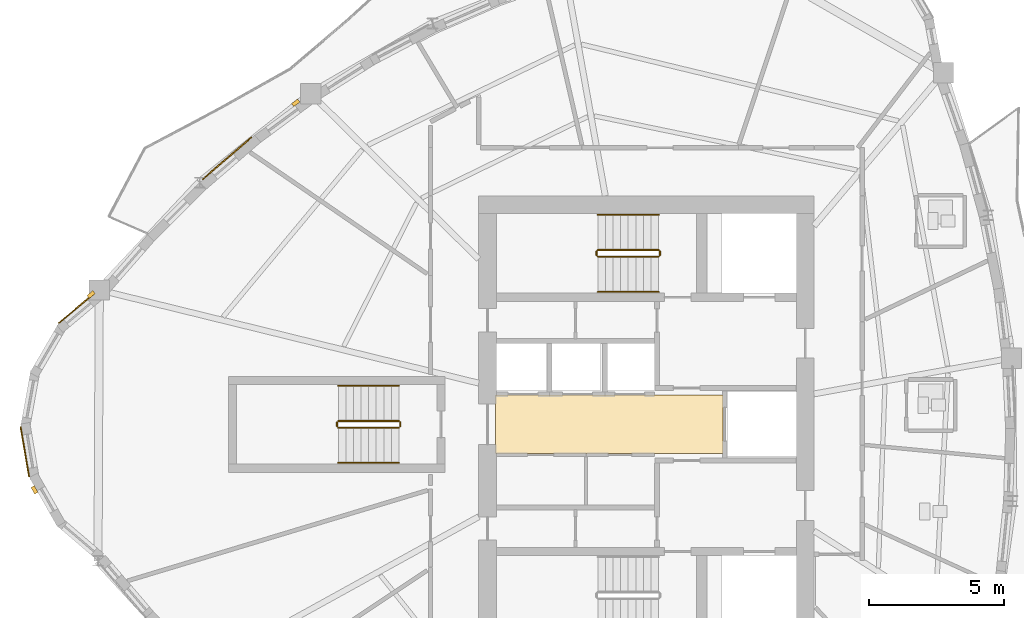
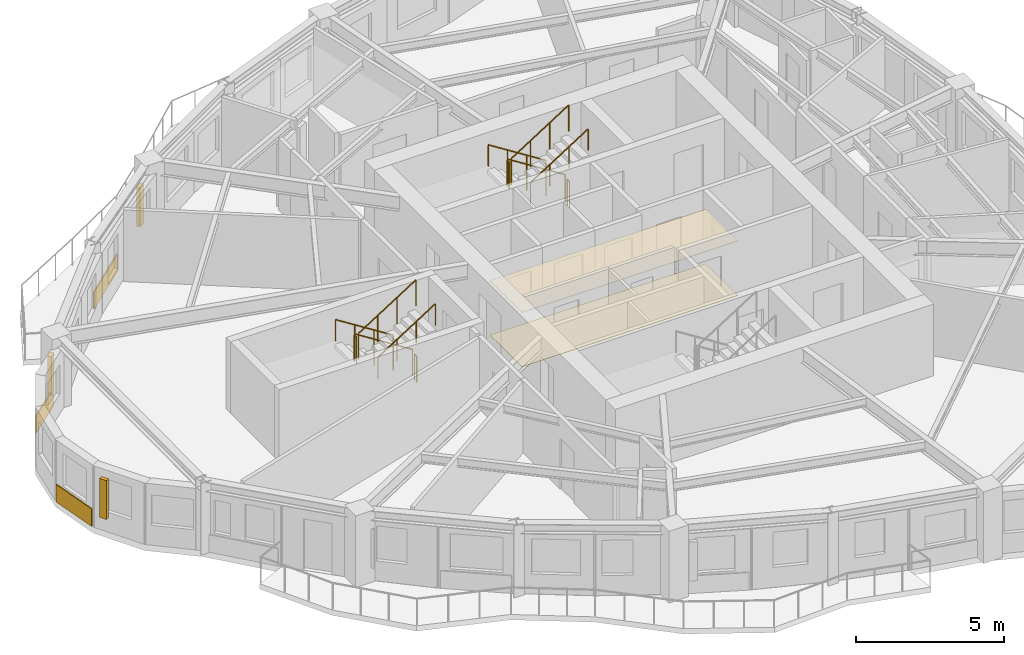
# One storey, part 10 of 12: 12 railings, 5 coverings, 3 shading devices.
"""IFC4 building model written with IfcOpenShell, lengths in metres."""

from ifc_helpers import new_model, si_unit, direction, frame, origin, origin_2d, place, context, subcontext, project, spatial, polyline, rectangle, circle, outline, extrude, source, transform, mapped, material, layer, layer_set, type_object, element, save


model = new_model("IFC4")

# Units and contexts
model_context = context("Model", 3, precision=1e-05, world=origin(), true_north=direction((0.0, 1.0)))
body_context = subcontext(model_context, "Body", "Model", "MODEL_VIEW")
ifc_project = project(units=[si_unit("LENGTHUNIT", "METRE"), si_unit("AREAUNIT", "SQUARE_METRE"), si_unit("VOLUMEUNIT", "CUBIC_METRE"), si_unit("PLANEANGLEUNIT", "RADIAN"), si_unit("MASSUNIT", "GRAM", prefix="KILO")], contexts=[model_context])

# Site, building, storey
site_placement = place(None, origin())
site = spatial("IfcSite", under=ifc_project, at=site_placement, CompositionType="ELEMENT")
building_placement = place(site_placement, origin())
building = spatial("IfcBuilding", under=site, at=building_placement, Name="Qafzar Sky-Pleat Residences", CompositionType="ELEMENT")
storey_placement = place(building_placement, frame((0.0, 0.0, 142.60009765625)))
storey = spatial("IfcBuildingStorey", under=building, at=storey_placement, Name="L42", CompositionType="ELEMENT", Elevation=142.60009765625)

# Coverings
ifc_material_1 = material(Name="Perforated acoustic gypsum board ceiling")
ifc_layer_1 = layer(ifc_material_1, 0.02001953125)
ifc_layer_set_1 = layer_set([ifc_layer_1], Name="Perforated acoustic gypsum board ceiling")
covering_type_1 = type_object("IfcCoveringType", Name="COV-CEIL-ACOUSTIC", PredefinedType="CEILING", material=ifc_layer_set_1)
covering_1_placement = place(storey_placement, frame((0.0, 0.0, 2.239990234375)))
element("IfcCovering", 1, at=covering_1_placement, inside=storey, type_object=covering_type_1, Name="L42 Passenger Lift Lobby Acoustic Ceiling", PredefinedType="CEILING", context=body_context, shape_type="SweptSolid", body=[
    extrude(outline(polyline([(33.179931640625, 24.919921875), (24.77001953125, 24.919921875), (24.77001953125, 27.080078125), (33.179931640625, 27.080078125), (33.179931640625, 24.919921875)])), origin(), (0.0, 0.0, 1.0), 0.02001953125),
])
ifc_material_2 = material(Name="Honed porcelain and Riyadh stone tile flooring", Category="masonry")
ifc_layer_2 = layer(ifc_material_2, 0.02001953125)
ifc_layer_set_2 = layer_set([ifc_layer_2], Name="Honed porcelain and Riyadh stone tile flooring")
covering_type_2 = type_object("IfcCoveringType", Name="COV-FLR-PORCELAIN", PredefinedType="FLOORING", material=ifc_layer_set_2)
covering_2_placement = place(storey_placement, origin())
element("IfcCovering", 2, at=covering_2_placement, inside=storey, type_object=covering_type_2, Name="L42 Passenger Lift Lobby Honed Stone Flooring", PredefinedType="FLOORING", context=body_context, shape_type="SweptSolid", body=[
    extrude(outline(polyline([(33.179931640625, 24.919921875), (24.77001953125, 24.919921875), (24.77001953125, 27.080078125), (33.179931640625, 27.080078125), (33.179931640625, 24.919921875)])), origin(), (0.0, 0.0, 1.0), 0.02001953125),
])

# Shading devices
ifc_material_3 = material(Name="Honed Riyadh limestone solar fin", Category="masonry")
ifc_layer_3 = layer(ifc_material_3, 0.139892578125)
ifc_layer_set_3 = layer_set([ifc_layer_3], Name="Honed Riyadh limestone solar fin")
shading_device_type = type_object("IfcShadingDeviceType", Name="SHD-FIN-STONE", PredefinedType="SHUTTER", material=ifc_layer_set_3)
shared_shape_1 = source(origin(), body_context, "Body", "SweptSolid", [
    extrude(rectangle(XDim=0.139892578125, YDim=0.280029296875, at=origin_2d()), origin(), (0.0, 0.0, 1.0), 1.60009765625),
])
for number, where, z_axis, x_axis, name in (
    (3, (9.8173828125, 30.799560546875, 0.599853515625), (0.0, 0.0, 1.0), (-0.642178681306, 0.766554982552, 0.0), "L42 Limestone Solar Fin 1"),
    (4, (7.720458984375, 23.57470703125, 0.599853515625), (0.0, 0.0, 1.0), (-0.86961473554, -0.493730910245, 0.0), "L42 Limestone Solar Fin 5"),
    (5, (17.3837890625, 37.890380859375, 0.599853515625), (0.0, 0.0, 1.0), (-0.594883001651, 0.803812300445, 0.0), "L42 Limestone Solar Fin 45"),
):
    element("IfcShadingDevice", number, at=place(storey_placement, frame(where, z_axis=z_axis, x_axis=x_axis)), inside=storey, type_object=shading_device_type, Name=name, PredefinedType="SHUTTER", context=body_context, shape_type="MappedRepresentation", body=[
        mapped(shared_shape_1, transform((0.0, 0.0, 0.0), x_axis=(1.0, 0.0, 0.0), y_axis=(0.0, 1.0, 0.0), z_axis=(0.0, 0.0, 1.0), scale=1.0)),
    ])

# Coverings
ifc_material_4 = material(Name="Honed Riyadh Tuwaiq limestone cladding", Category="masonry")
ifc_layer_4 = layer(ifc_material_4, 0.044921875)
ifc_layer_set_4 = layer_set([ifc_layer_4], Name="Honed Riyadh Tuwaiq limestone cladding")
covering_type_3 = type_object("IfcCoveringType", Name="COV-CLAD-STONE", PredefinedType="CLADDING", material=ifc_layer_set_4)
shared_shape_2 = source(origin(), body_context, "Body", "SweptSolid", [
    extrude(rectangle(XDim=1.699462890625, YDim=0.044921875, at=origin_2d()), origin(), (0.0, 0.0, 1.0), 0.719970703125),
])
covering_3_placement = place(storey_placement, frame((9.26220703125, 30.278564453125, 0.02001953125), z_axis=(0.0, 0.0, 1.0), x_axis=(-0.766590937902, -0.642135759732, 0.0)))
element("IfcCovering", 6, at=covering_3_placement, inside=storey, type_object=covering_type_3, Name="L42 Riyadh Limestone Spandrel Cladding 1", PredefinedType="CLADDING", context=body_context, shape_type="MappedRepresentation", body=[
    mapped(shared_shape_2, transform((0.0, 0.0, 0.0), x_axis=(1.0, 0.0, 0.0), y_axis=(0.0, 1.0, 0.0), z_axis=(0.0, 0.0, 1.0), scale=1.0)),
])
shared_shape_3 = source(origin(), body_context, "Body", "SweptSolid", [
    extrude(rectangle(XDim=1.873046875, YDim=0.044921875, at=origin_2d()), origin(), (0.0, 0.0, 1.0), 0.719970703125),
])
covering_4_placement = place(storey_placement, frame((7.36572265625, 24.98046875, 0.02001953125), z_axis=(0.0, 0.0, 1.0), x_axis=(0.168083505524, -0.985772760412, 0.0)))
element("IfcCovering", 7, at=covering_4_placement, inside=storey, type_object=covering_type_3, Name="L42 Riyadh Limestone Spandrel Cladding 4", PredefinedType="CLADDING", context=body_context, shape_type="MappedRepresentation", body=[
    mapped(shared_shape_3, transform((0.0, 0.0, 0.0), x_axis=(1.0, 0.0, 0.0), y_axis=(0.0, 1.0, 0.0), z_axis=(0.0, 0.0, 1.0), scale=1.0)),
])
shared_shape_4 = source(origin(), body_context, "Body", "SweptSolid", [
    extrude(rectangle(XDim=2.3984375, YDim=0.044921875, at=origin_2d()), origin(), (0.0, 0.0, 1.0), 0.719970703125),
])
covering_5_placement = place(storey_placement, frame((14.84228515625, 35.836669921875, 0.02001953125), z_axis=(0.0, 0.0, 1.0), x_axis=(-0.757495062246, -0.652840892311, 0.0)))
element("IfcCovering", 8, at=covering_5_placement, inside=storey, type_object=covering_type_3, Name="L42 Riyadh Limestone Spandrel Cladding 46", PredefinedType="CLADDING", context=body_context, shape_type="MappedRepresentation", body=[
    mapped(shared_shape_4, transform((0.0, 0.0, 0.0), x_axis=(1.0, 0.0, 0.0), y_axis=(0.0, 1.0, 0.0), z_axis=(0.0, 0.0, 1.0), scale=1.0)),
])

# Railings
ifc_material_5 = material(Name="Painted Steel S355 stair guardrail", Category="steel")
railing_type_1 = type_object("IfcRailingType", Name="RAIL-STAIR-GUARD", PredefinedType="GUARDRAIL", material=ifc_material_5)
shared_shape_5 = source(origin(), body_context, "Body", "SweptSolid", [
    extrude(circle(Radius=0.02392578125, at=origin_2d()), frame((0.0, 0.0, 1.076171875), z_axis=(0.0, -1.0, 0.0), x_axis=(1.0, 0.0, 0.0)), (0.0, 0.0, 1.0), 0.14990234375),
    extrude(circle(Radius=0.02099609375, at=origin_2d()), origin(), (0.0, 0.0, 1.0), 1.052001953125),
    extrude(circle(Radius=0.02099609375, at=origin_2d()), frame((0.0, -0.14990234375, 0.0)), (0.0, 0.0, 1.0), 1.052001953125),
])
for number, where, name in (
    (9, (28.510009765625, 32.39990234375, 1.599853515625), "L42 ST2 stair guard 2"),
    (10, (30.85009765625, 32.39990234375, 0.0), "L42 ST2 stair guard 4"),
    (11, (18.909912109375, 26.074951171875, 1.599853515625), "L42 ST3 stair guard 2"),
    (12, (21.25, 26.074951171875, 0.0), "L42 ST3 stair guard 4"),
):
    element("IfcRailing", number, at=place(storey_placement, frame(where)), inside=storey, type_object=railing_type_1, Name=name, PredefinedType="GUARDRAIL", context=body_context, shape_type="MappedRepresentation", body=[
        mapped(shared_shape_5, transform((0.0, 0.0, 0.0), x_axis=(1.0, 0.0, 0.0), y_axis=(0.0, 1.0, 0.0), z_axis=(0.0, 0.0, 1.0), scale=1.0)),
    ])
shared_shape_6 = source(origin(), body_context, "Body", "SweptSolid", [
    extrude(circle(Radius=0.02392578125, at=origin_2d()), frame((0.0, 0.0, 1.076171875), z_axis=(-0.8442293374, 0.0, 0.53598211339), x_axis=(0.0, -1.0, 0.0)), (0.0, 0.0, 1.0), 2.6533203125),
    extrude(circle(Radius=0.02099609375, at=origin_2d()), origin(), (0.0, 0.0, 1.0), 1.052001953125),
    extrude(circle(Radius=0.02099609375, at=origin_2d()), frame((-0.74658203125, 0.0, 0.47412109375)), (0.0, 0.0, 1.0), 1.052001953125),
    extrude(circle(Radius=0.02099609375, at=origin_2d()), frame((-1.493408203125, 0.0, 0.947998046875)), (0.0, 0.0, 1.0), 1.052001953125),
    extrude(circle(Radius=0.02099609375, at=origin_2d()), frame((-2.239990234375, 0.0, 1.422119140625)), (0.0, 0.0, 1.0), 1.052001953125),
])
for number, where, name in (
    (13, (30.800048828125, 32.449951171875, 0.177734375), "L42 ST2 stair guard 1"),
    (14, (21.199951171875, 26.125, 0.177734375), "L42 ST3 stair guard 1"),
):
    element("IfcRailing", number, at=place(storey_placement, frame(where)), inside=storey, type_object=railing_type_1, Name=name, PredefinedType="GUARDRAIL", context=body_context, shape_type="MappedRepresentation", body=[
        mapped(shared_shape_6, transform((0.0, 0.0, 0.0), x_axis=(1.0, 0.0, 0.0), y_axis=(0.0, 1.0, 0.0), z_axis=(0.0, 0.0, 1.0), scale=1.0)),
    ])
ifc_material_6 = material(Name="Brushed stainless steel handrail", Category="steel")
railing_type_2 = type_object("IfcRailingType", Name="RAIL-STAIR-HAND", PredefinedType="HANDRAIL", material=ifc_material_6)
shared_shape_7 = source(origin(), body_context, "Body", "SweptSolid", [
    extrude(circle(Radius=0.02392578125, at=origin_2d()), frame((0.0, 0.0, 0.8759765625), z_axis=(-0.8442293374, 0.0, 0.53598211339), x_axis=(0.0, -1.0, 0.0)), (0.0, 0.0, 1.0), 2.6533203125),
    extrude(circle(Radius=0.02099609375, at=origin_2d()), origin(), (0.0, 0.0, 1.0), 0.851806640625),
    extrude(circle(Radius=0.02099609375, at=origin_2d()), frame((-0.74658203125, 0.0, 0.47412109375)), (0.0, 0.0, 1.0), 0.851806640625),
    extrude(circle(Radius=0.02099609375, at=origin_2d()), frame((-1.493408203125, 0.0, 0.947998046875)), (0.0, 0.0, 1.0), 0.851806640625),
    extrude(circle(Radius=0.02099609375, at=origin_2d()), frame((-2.239990234375, 0.0, 1.422119140625)), (0.0, 0.0, 1.0), 0.851806640625),
])
for number, where, name in (
    (15, (30.800048828125, 33.75, 0.177734375), "L42 ST2 stair handrail 1"),
    (16, (21.199951171875, 27.425048828125, 0.177734375), "L42 ST3 stair handrail 1"),
):
    element("IfcRailing", number, at=place(storey_placement, frame(where)), inside=storey, type_object=railing_type_2, Name=name, PredefinedType="HANDRAIL", context=body_context, shape_type="MappedRepresentation", body=[
        mapped(shared_shape_7, transform((0.0, 0.0, 0.0), x_axis=(1.0, 0.0, 0.0), y_axis=(0.0, 1.0, 0.0), z_axis=(0.0, 0.0, 1.0), scale=1.0)),
    ])
shared_shape_8 = source(origin(), body_context, "Body", "SweptSolid", [
    extrude(circle(Radius=0.02392578125, at=origin_2d()), frame((0.0, 0.0, 1.076171875), z_axis=(0.84418770128, 0.0, 0.536047689118), x_axis=(0.0, 1.0, 0.0)), (0.0, 0.0, 1.0), 2.6533203125),
    extrude(circle(Radius=0.02099609375, at=origin_2d()), origin(), (0.0, 0.0, 1.0), 1.052001953125),
    extrude(circle(Radius=0.02099609375, at=origin_2d()), frame((0.74658203125, 0.0, 0.47412109375)), (0.0, 0.0, 1.0), 1.052001953125),
    extrude(circle(Radius=0.02099609375, at=origin_2d()), frame((1.493408203125, 0.0, 0.9482421875)), (0.0, 0.0, 1.0), 1.052001953125),
    extrude(circle(Radius=0.02099609375, at=origin_2d()), frame((2.239990234375, 0.0, 1.42236328125)), (0.0, 0.0, 1.0), 1.052001953125),
])
for number, where, name in (
    (17, (28.56005859375, 32.199951171875, 1.777587890625), "L42 ST2 stair guard 3"),
    (18, (18.9599609375, 25.875, 1.777587890625), "L42 ST3 stair guard 3"),
):
    element("IfcRailing", number, at=place(storey_placement, frame(where)), inside=storey, type_object=railing_type_1, Name=name, PredefinedType="GUARDRAIL", context=body_context, shape_type="MappedRepresentation", body=[
        mapped(shared_shape_8, transform((0.0, 0.0, 0.0), x_axis=(1.0, 0.0, 0.0), y_axis=(0.0, 1.0, 0.0), z_axis=(0.0, 0.0, 1.0), scale=1.0)),
    ])
shared_shape_9 = source(origin(), body_context, "Body", "SweptSolid", [
    extrude(circle(Radius=0.02392578125, at=origin_2d()), frame((0.0, 0.0, 0.8759765625), z_axis=(0.84418770128, 0.0, 0.536047689118), x_axis=(0.0, 1.0, 0.0)), (0.0, 0.0, 1.0), 2.6533203125),
    extrude(circle(Radius=0.02099609375, at=origin_2d()), origin(), (0.0, 0.0, 1.0), 0.851806640625),
    extrude(circle(Radius=0.02099609375, at=origin_2d()), frame((0.74658203125, 0.0, 0.47412109375)), (0.0, 0.0, 1.0), 0.851806640625),
    extrude(circle(Radius=0.02099609375, at=origin_2d()), frame((1.493408203125, 0.0, 0.9482421875)), (0.0, 0.0, 1.0), 0.851806640625),
    extrude(circle(Radius=0.02099609375, at=origin_2d()), frame((2.239990234375, 0.0, 1.42236328125)), (0.0, 0.0, 1.0), 0.851806640625),
])
for number, where, name in (
    (19, (28.56005859375, 30.89990234375, 1.777587890625), "L42 ST2 stair handrail 2"),
    (20, (18.9599609375, 24.574951171875, 1.777587890625), "L42 ST3 stair handrail 2"),
):
    element("IfcRailing", number, at=place(storey_placement, frame(where)), inside=storey, type_object=railing_type_2, Name=name, PredefinedType="HANDRAIL", context=body_context, shape_type="MappedRepresentation", body=[
        mapped(shared_shape_9, transform((0.0, 0.0, 0.0), x_axis=(1.0, 0.0, 0.0), y_axis=(0.0, 1.0, 0.0), z_axis=(0.0, 0.0, 1.0), scale=1.0)),
    ])

save(model, "model.ifc")
